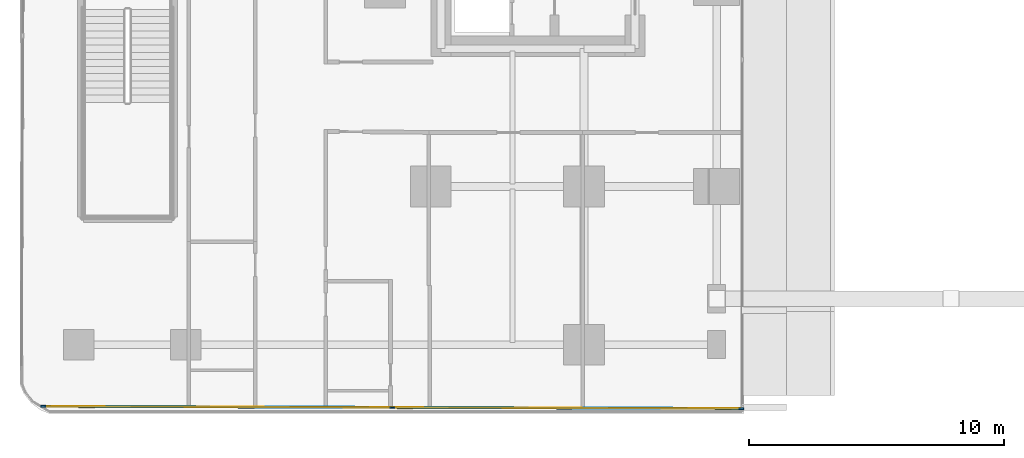
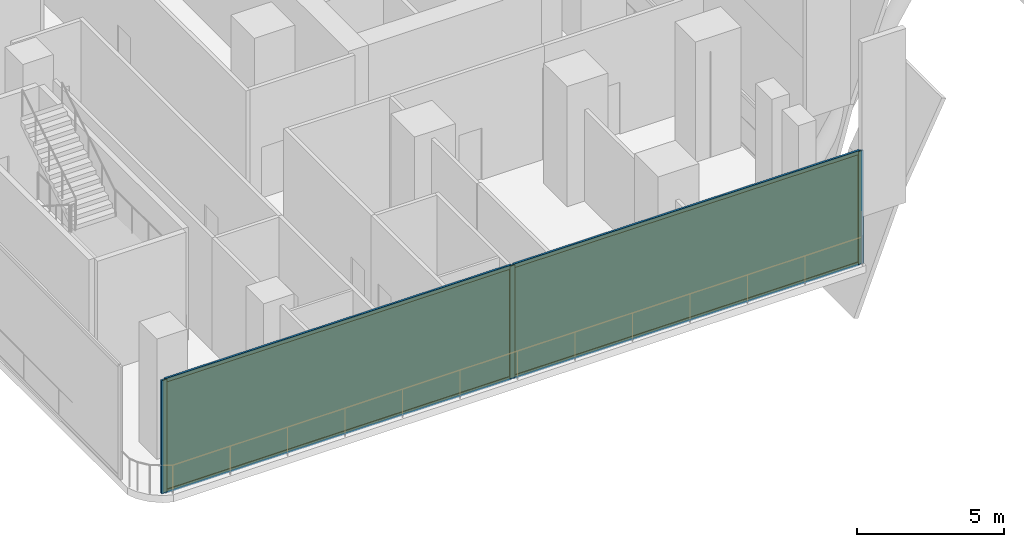
# One storey, part 12 of 31: 7 members, 2 plates, 1 curtain wall.
"""IFC4 building model written with IfcOpenShell, lengths in metres."""

from ifc_helpers import new_model, si_unit, direction, frame, frame_2d, origin, origin_2d, place, context, subcontext, project, spatial, rectangle, extrude, material, layer, layer_set, material_profile, profile_set, type_object, element, aggregate, save


model = new_model("IFC4")

# Units and contexts
model_context = context("Model", 3, precision=1e-05, world=origin(), true_north=direction((0.0, 1.0)))
body_context = subcontext(model_context, "Body", "Model", "MODEL_VIEW")
ifc_project = project(units=[si_unit("LENGTHUNIT", "METRE"), si_unit("AREAUNIT", "SQUARE_METRE"), si_unit("VOLUMEUNIT", "CUBIC_METRE"), si_unit("PLANEANGLEUNIT", "RADIAN"), si_unit("MASSUNIT", "GRAM", prefix="KILO")], contexts=[model_context])

# Member
ifc_material_1 = material(Name="Anodised Bronze Aluminium 6063-T6", Category="aluminium")
ifc_material_profile_1 = material_profile(ifc_material_1, rectangle(XDim=0.074951171875, YDim=0.199951171875, at=origin_2d()))
ifc_profile_set_1 = profile_set([ifc_material_profile_1], Name="Anodised Bronze Aluminium 6063-T6")
member_type_1 = type_object("IfcMemberType", Name="CW-POD Mullion 75x200", PredefinedType="MULLION", material=ifc_profile_set_1)
site_placement = place(None, origin())
building_placement = place(site_placement, origin())
storey_placement = place(building_placement, frame((0.0, 0.0, 6.0)))
member_1_placement = place(storey_placement, frame((-8.237548828125, -27.304931640625, 0.0), z_axis=(0.0, 0.0, 1.0), x_axis=(-0.003140108449, -0.999995069847, 0.0)))
member_1 = element("IfcMember", 1, at=member_1_placement, type_object=member_type_1, Name="CW-POD mullion 1", PredefinedType="MULLION", context=body_context, shape_type="SweptSolid", body=[
    extrude(rectangle(XDim=0.074951171875, YDim=0.199951171875, at=origin_2d()), origin(), (0.0, 0.0, 1.0), 4.699951171875),
])

member_2_placement = place(storey_placement, frame((-21.90966796875, -27.261962890625, 0.0), z_axis=(0.0, 0.0, 1.0), x_axis=(-0.003140108449, -0.999995069847, 0.0)))
member_2 = element("IfcMember", 2, at=member_2_placement, type_object=member_type_1, Name="CW-POD mullion 2", PredefinedType="MULLION", context=body_context, shape_type="SweptSolid", body=[
    extrude(rectangle(XDim=0.074951171875, YDim=0.199951171875, at=origin_2d()), origin(), (0.0, 0.0, 1.0), 4.699951171875),
])

member_3_placement = place(storey_placement, frame((-35.581787109375, -27.21923828125, 0.0), z_axis=(0.0, 0.0, 1.0), x_axis=(-0.003140108449, -0.999995069847, 0.0)))
member_3 = element("IfcMember", 3, at=member_3_placement, type_object=member_type_1, Name="CW-POD mullion 3", PredefinedType="MULLION", context=body_context, shape_type="SweptSolid", body=[
    extrude(rectangle(XDim=0.074951171875, YDim=0.199951171875, at=origin_2d()), origin(), (0.0, 0.0, 1.0), 4.699951171875),
])

ifc_material_2 = material(Name="Anodised Bronze Aluminium 6063-T6", Category="aluminium")
ifc_material_profile_2 = material_profile(ifc_material_2, rectangle(XDim=0.074951171875, YDim=0.159912109375, at=origin_2d()))
ifc_profile_set_2 = profile_set([ifc_material_profile_2], Name="Anodised Bronze Aluminium 6063-T6")
member_type_2 = type_object("IfcMemberType", Name="CW-POD Transom 75x160", PredefinedType="USERDEFINED", material=ifc_profile_set_2)
member_4_placement = place(storey_placement, frame((-8.27490234375, -27.304931640625, 0.03759765625), z_axis=(-0.999995063421, 0.003142154202, 0.0), x_axis=(-0.003142154202, -0.999995063421, 0.0)))
member_4 = element("IfcMember", 4, at=member_4_placement, type_object=member_type_2, Name="CW-POD transom 1.1", ObjectType="TRANSOM", PredefinedType="USERDEFINED", context=body_context, shape_type="SweptSolid", body=[
    extrude(rectangle(XDim=0.074951171875, YDim=0.159912109375, at=origin_2d()), origin(), (0.0, 0.0, 1.0), 13.59716796875),
])

member_5_placement = place(storey_placement, frame((-8.27490234375, -27.304931640625, 4.66259765625), z_axis=(-0.999995063421, 0.003142154202, 0.0), x_axis=(-0.003142154202, -0.999995063421, 0.0)))
member_5 = element("IfcMember", 5, at=member_5_placement, type_object=member_type_2, Name="CW-POD transom 1.2", ObjectType="TRANSOM", PredefinedType="USERDEFINED", context=body_context, shape_type="SweptSolid", body=[
    extrude(rectangle(XDim=0.074951171875, YDim=0.159912109375, at=origin_2d()), origin(), (0.0, 0.0, 1.0), 13.59716796875),
])

member_6_placement = place(storey_placement, frame((-21.947265625, -27.261962890625, 0.03759765625), z_axis=(-0.999995063244, 0.00314221062, 0.0), x_axis=(-0.00314221062, -0.999995063244, 0.0)))
member_6 = element("IfcMember", 6, at=member_6_placement, type_object=member_type_2, Name="CW-POD transom 2.1", ObjectType="TRANSOM", PredefinedType="USERDEFINED", context=body_context, shape_type="SweptSolid", body=[
    extrude(rectangle(XDim=0.074951171875, YDim=0.159912109375, at=origin_2d()), origin(), (0.0, 0.0, 1.0), 13.596923828125),
])

member_7_placement = place(storey_placement, frame((-21.947265625, -27.261962890625, 4.66259765625), z_axis=(-0.999995063244, 0.00314221062, 0.0), x_axis=(-0.00314221062, -0.999995063244, 0.0)))
member_7 = element("IfcMember", 7, at=member_7_placement, type_object=member_type_2, Name="CW-POD transom 2.2", ObjectType="TRANSOM", PredefinedType="USERDEFINED", context=body_context, shape_type="SweptSolid", body=[
    extrude(rectangle(XDim=0.074951171875, YDim=0.159912109375, at=origin_2d()), origin(), (0.0, 0.0, 1.0), 13.596923828125),
])

# Plate
ifc_material_3 = material(Name="Low-E Solar Control Laminated Glass", Category="glass")
ifc_layer_1 = layer(ifc_material_3, 0.031982421875, Name="Low-E Solar Control Laminated Glass")
ifc_layer_set_1 = layer_set([ifc_layer_1], Name="Low-E Solar Control Laminated Glass")
plate_type = type_object("IfcPlateType", Name="CW-POD Low-E Double Glazed Panel 32mm", PredefinedType="CURTAIN_PANEL", material=ifc_layer_set_1)
plate_1_placement = place(storey_placement, frame((-15.073486328125, -27.283447265625, 0.0751953125), z_axis=(0.0, 0.0, 1.0), x_axis=(-0.999995069847, 0.003140108449, 0.0)))
plate_1 = element("IfcPlate", 8, at=plate_1_placement, type_object=plate_type, Name="CW-POD panel 1.1", PredefinedType="CURTAIN_PANEL", context=body_context, shape_type="SweptSolid", body=[
    extrude(rectangle(XDim=13.59716796875, YDim=0.031982421875, at=origin_2d()), origin(), (0.0, 0.0, 1.0), 4.550048828125),
])

plate_2_placement = place(storey_placement, frame((-28.74560546875, -27.240478515625, 0.0751953125), z_axis=(0.0, 0.0, 1.0), x_axis=(-0.999995069847, 0.003140108449, 0.0)))
plate_2 = element("IfcPlate", 9, at=plate_2_placement, type_object=plate_type, Name="CW-POD panel 2.1", PredefinedType="CURTAIN_PANEL", context=body_context, shape_type="SweptSolid", body=[
    extrude(rectangle(XDim=13.59716796875, YDim=0.031982421875, at=origin_2d()), origin(), (0.0, 0.0, 1.0), 4.550048828125),
])

# Site, building, storey
site = spatial("IfcSite", under=ifc_project, at=site_placement, CompositionType="ELEMENT")
building = spatial("IfcBuilding", under=site, at=building_placement, Name="Khairoan Windgate Tower", CompositionType="ELEMENT")
storey = spatial("IfcBuildingStorey", under=building, at=storey_placement, Name="L02", CompositionType="ELEMENT", Elevation=6.0)

# Curtain wall
ifc_material_4 = material(Name="Anodised Bronze Aluminium 6063-T6", Category="aluminium")
ifc_layer_2 = layer(ifc_material_4, 0.199951171875, Name="Anodised Bronze Aluminium 6063-T6")
ifc_layer_set_2 = layer_set([ifc_layer_2], Name="Anodised Bronze Aluminium 6063-T6")
curtain_wall_type = type_object("IfcCurtainWallType", Name="Podium Arch Galleria Curtain Wall CW-POD", PredefinedType="NOTDEFINED", material=ifc_layer_set_2)
curtain_wall_placement = place(storey_placement, frame((-8.199951171875, -27.30517578125, 0.0), z_axis=(0.0, 0.0, 1.0), x_axis=(-0.999995060541, 0.003143070576, 0.0)))
curtain_wall = element("IfcCurtainWall", 10, at=curtain_wall_placement, inside=storey, type_object=curtain_wall_type, Name="L02 Sculpted Podium Wing Curtain Wall 1.8", PredefinedType="NOTDEFINED", context=body_context, shape_type="SweptSolid", body=[
    extrude(rectangle(XDim=27.419677734375, YDim=0.010009765625, at=frame_2d((13.7099609375, 0.0))), origin(), (0.0, 0.0, 1.0), 4.699951171875),
])

aggregate(curtain_wall, [member_1, member_2, member_3, member_4, member_5, plate_1, member_6, member_7, plate_2])

save(model, "model.ifc")
